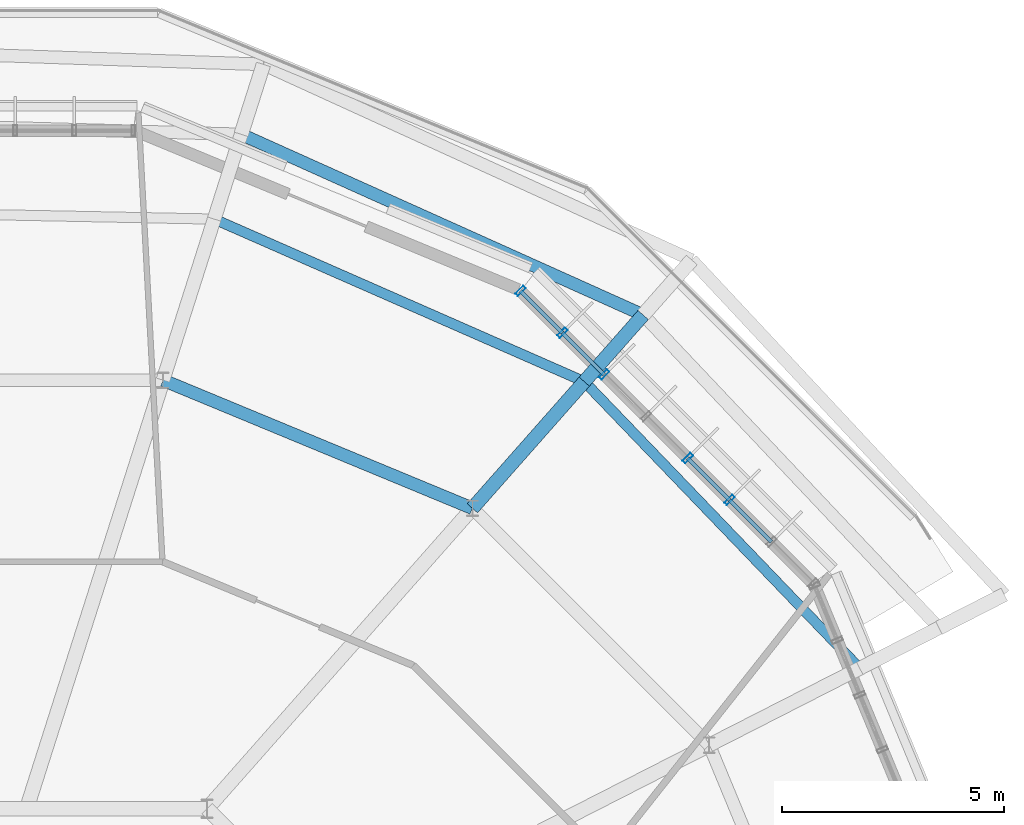
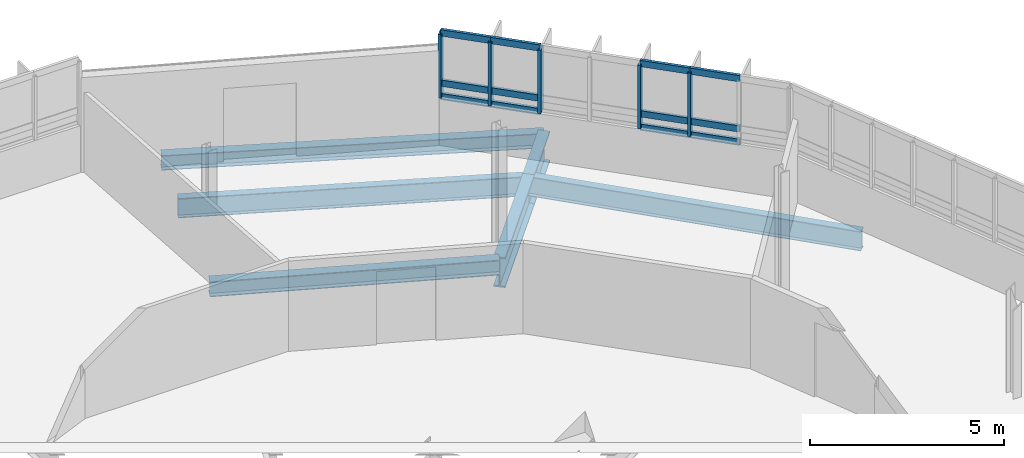
# One storey, part 21 of 31: 17 members, 6 beams, 1 element without a shape of its own.
"""IFC4 building model written with IfcOpenShell, lengths in metres."""

from ifc_helpers import new_model, si_unit, derived_unit, direction, frame, origin, origin_2d, place, context, subcontext, project, spatial, hollow_rectangle, i_section, extrude, material, layer, layer_set, material_profile, profile_set, type_object, element, aggregate, save


model = new_model("IFC4")

# Units and contexts
model_context = context("Model", 3, precision=1e-05, world=origin(), true_north=direction((0.0, 1.0)))
body_context = subcontext(model_context, "Body", "Model", "MODEL_VIEW")
ifc_project = project(units=[si_unit("LENGTHUNIT", "METRE"), si_unit("AREAUNIT", "SQUARE_METRE"), si_unit("VOLUMEUNIT", "CUBIC_METRE"), si_unit("PLANEANGLEUNIT", "RADIAN"), si_unit("MASSUNIT", "GRAM", prefix="KILO"), derived_unit("THERMALTRANSMITTANCEUNIT", [(si_unit("MASSUNIT", "GRAM", prefix="KILO"), 1), (si_unit("TIMEUNIT", "SECOND"), -3), (si_unit("THERMODYNAMICTEMPERATUREUNIT", "KELVIN"), -1)])], contexts=[model_context])

# Site, building, storey
site_placement = place(None, origin())
site = spatial("IfcSite", under=ifc_project, at=site_placement, CompositionType="ELEMENT")
building_placement = place(site_placement, origin())
building = spatial("IfcBuilding", under=site, at=building_placement, Name="Makaiwela Harbour Ferry Terminal", CompositionType="ELEMENT")
storey_placement = place(building_placement, frame((0.0, 0.0, 21.60009765625)))
storey = spatial("IfcBuildingStorey", under=building, at=storey_placement, Name="L05", CompositionType="ELEMENT", Elevation=21.60009765625)

# Curtain wall, members
ifc_material_1 = material(Name="Marine anodised aluminium 6063-T6", Category="aluminium")
ifc_layer = layer(ifc_material_1, 0.199951171875)
ifc_layer_set = layer_set([ifc_layer], Name="Marine anodised aluminium 6063-T6")
curtain_wall_type = type_object("IfcCurtainWallType", Name="ENV-CW-07", PredefinedType="USERDEFINED", material=ifc_layer_set)
curtain_wall_placement = place(storey_placement, origin())
curtain_wall = element("IfcCurtainWall", 1, at=curtain_wall_placement, inside=storey, type_object=curtain_wall_type, Name="Unitised Curtain Wall CWA-059", ObjectType="UNITIZED CURTAIN WALL", PredefinedType="USERDEFINED")
ifc_material_profile_1 = material_profile(ifc_material_1, hollow_rectangle(XDim=0.0849609375, YDim=0.25, WallThickness=0.0048828125, at=origin_2d()), Name="CWM-250X85")
ifc_profile_set_1 = profile_set([ifc_material_profile_1], Name="Marine anodised aluminium 6063-T6")
member_type_1 = type_object("IfcMemberType", Name="CW-MUL-250", PredefinedType="MULLION", material=ifc_profile_set_1)
member_1_placement = place(storey_placement, frame((53.604248046875, 84.334716796875, 1.47998046875), z_axis=(0.0, 0.0, 1.0), x_axis=(-0.707106781187, 0.707106781187, 0.0)))
member_1 = element("IfcMember", 2, at=member_1_placement, type_object=member_type_1, Name="Curtain Wall Mullion CWA-059-3", PredefinedType="MULLION", context=body_context, shape_type="SweptSolid", body=[
    extrude(hollow_rectangle(XDim=0.0849609375, YDim=0.25, WallThickness=0.0048828125, at=origin_2d()), origin(), (0.0, 0.0, 1.0), 2.0),
])
member_2_placement = place(storey_placement, frame((52.664306640625, 85.274658203125, 1.47998046875), z_axis=(0.0, 0.0, 1.0), x_axis=(-0.707106781187, 0.707106781187, 0.0)))
member_2 = element("IfcMember", 3, at=member_2_placement, type_object=member_type_1, Name="Curtain Wall Mullion CWA-059-4", PredefinedType="MULLION", context=body_context, shape_type="SweptSolid", body=[
    extrude(hollow_rectangle(XDim=0.0849609375, YDim=0.25, WallThickness=0.0048828125, at=origin_2d()), origin(), (0.0, 0.0, 1.0), 2.0),
])
member_3_placement = place(storey_placement, frame((50.78466796875, 87.154296875, 1.47998046875), z_axis=(0.0, 0.0, 1.0), x_axis=(-0.707106781187, 0.707106781187, 0.0)))
member_3 = element("IfcMember", 4, at=member_3_placement, type_object=member_type_1, Name="Curtain Wall Mullion CWA-059-6", PredefinedType="MULLION", context=body_context, shape_type="SweptSolid", body=[
    extrude(hollow_rectangle(XDim=0.0849609375, YDim=0.25, WallThickness=0.0048828125, at=origin_2d()), origin(), (0.0, 0.0, 1.0), 2.0),
])
member_4_placement = place(storey_placement, frame((49.8447265625, 88.09423828125, 1.47998046875), z_axis=(0.0, 0.0, 1.0), x_axis=(-0.707106781187, 0.707106781187, 0.0)))
member_4 = element("IfcMember", 5, at=member_4_placement, type_object=member_type_1, Name="Curtain Wall Mullion CWA-059-7", PredefinedType="MULLION", context=body_context, shape_type="SweptSolid", body=[
    extrude(hollow_rectangle(XDim=0.0849609375, YDim=0.25, WallThickness=0.0048828125, at=origin_2d()), origin(), (0.0, 0.0, 1.0), 2.0),
])
member_5_placement = place(storey_placement, frame((48.90478515625, 89.0341796875, 1.47998046875), z_axis=(0.0, 0.0, 1.0), x_axis=(-0.707106781187, 0.707106781187, 0.0)))
member_5 = element("IfcMember", 6, at=member_5_placement, type_object=member_type_1, Name="Curtain Wall Mullion CWA-059-8", PredefinedType="MULLION", context=body_context, shape_type="SweptSolid", body=[
    extrude(hollow_rectangle(XDim=0.0849609375, YDim=0.25, WallThickness=0.0048828125, at=origin_2d()), origin(), (0.0, 0.0, 1.0), 2.0),
])
ifc_material_profile_2 = material_profile(ifc_material_1, hollow_rectangle(XDim=0.0849609375, YDim=0.199951171875, WallThickness=0.0048828125, at=origin_2d()), Name="CWT-200X85")
ifc_profile_set_2 = profile_set([ifc_material_profile_2], Name="Marine anodised aluminium 6063-T6")
member_type_2 = type_object("IfcMemberType", Name="CW-TRN-200", PredefinedType="USERDEFINED", material=ifc_profile_set_2)
member_6_placement = place(storey_placement, frame((54.544189453125, 83.394775390625, 1.47998046875), z_axis=(-0.707106781187, 0.707106781187, 0.0), x_axis=(-0.707106781187, -0.707106781187, 0.0)))
member_6 = element("IfcMember", 7, at=member_6_placement, type_object=member_type_2, Name="Curtain Wall Transom CWA-059-2-1", ObjectType="TRANSOM", PredefinedType="USERDEFINED", context=body_context, shape_type="SweptSolid", body=[
    extrude(hollow_rectangle(XDim=0.0849609375, YDim=0.199951171875, WallThickness=0.0048828125, at=origin_2d()), origin(), (0.0, 0.0, 1.0), 1.329345703125),
])
member_7_placement = place(storey_placement, frame((54.544189453125, 83.394775390625, 1.89990234375), z_axis=(-0.707106781187, 0.707106781187, 0.0), x_axis=(-0.707106781187, -0.707106781187, 0.0)))
member_7 = element("IfcMember", 8, at=member_7_placement, type_object=member_type_2, Name="Curtain Wall Transom CWA-059-2-2", ObjectType="TRANSOM", PredefinedType="USERDEFINED", context=body_context, shape_type="SweptSolid", body=[
    extrude(hollow_rectangle(XDim=0.0849609375, YDim=0.199951171875, WallThickness=0.0048828125, at=origin_2d()), origin(), (0.0, 0.0, 1.0), 1.329345703125),
])
member_8_placement = place(storey_placement, frame((54.544189453125, 83.394775390625, 3.47998046875), z_axis=(-0.707106781187, 0.707106781187, 0.0), x_axis=(-0.707106781187, -0.707106781187, 0.0)))
member_8 = element("IfcMember", 9, at=member_8_placement, type_object=member_type_2, Name="Curtain Wall Transom CWA-059-2-3", ObjectType="TRANSOM", PredefinedType="USERDEFINED", context=body_context, shape_type="SweptSolid", body=[
    extrude(hollow_rectangle(XDim=0.0849609375, YDim=0.199951171875, WallThickness=0.0048828125, at=origin_2d()), origin(), (0.0, 0.0, 1.0), 1.329345703125),
])
member_9_placement = place(storey_placement, frame((53.604248046875, 84.334716796875, 1.47998046875), z_axis=(-0.707106781187, 0.707106781187, 0.0), x_axis=(-0.707106781187, -0.707106781187, 0.0)))
member_9 = element("IfcMember", 10, at=member_9_placement, type_object=member_type_2, Name="Curtain Wall Transom CWA-059-3-1", ObjectType="TRANSOM", PredefinedType="USERDEFINED", context=body_context, shape_type="SweptSolid", body=[
    extrude(hollow_rectangle(XDim=0.0849609375, YDim=0.199951171875, WallThickness=0.0048828125, at=origin_2d()), origin(), (0.0, 0.0, 1.0), 1.329345703125),
])
member_10_placement = place(storey_placement, frame((53.604248046875, 84.334716796875, 1.89990234375), z_axis=(-0.707106781187, 0.707106781187, 0.0), x_axis=(-0.707106781187, -0.707106781187, 0.0)))
member_10 = element("IfcMember", 11, at=member_10_placement, type_object=member_type_2, Name="Curtain Wall Transom CWA-059-3-2", ObjectType="TRANSOM", PredefinedType="USERDEFINED", context=body_context, shape_type="SweptSolid", body=[
    extrude(hollow_rectangle(XDim=0.0849609375, YDim=0.199951171875, WallThickness=0.0048828125, at=origin_2d()), origin(), (0.0, 0.0, 1.0), 1.329345703125),
])
member_11_placement = place(storey_placement, frame((53.604248046875, 84.334716796875, 3.47998046875), z_axis=(-0.707106781187, 0.707106781187, 0.0), x_axis=(-0.707106781187, -0.707106781187, 0.0)))
member_11 = element("IfcMember", 12, at=member_11_placement, type_object=member_type_2, Name="Curtain Wall Transom CWA-059-3-3", ObjectType="TRANSOM", PredefinedType="USERDEFINED", context=body_context, shape_type="SweptSolid", body=[
    extrude(hollow_rectangle(XDim=0.0849609375, YDim=0.199951171875, WallThickness=0.0048828125, at=origin_2d()), origin(), (0.0, 0.0, 1.0), 1.329345703125),
])
member_12_placement = place(storey_placement, frame((50.78466796875, 87.154296875, 1.47998046875), z_axis=(-0.707106781187, 0.707106781187, 0.0), x_axis=(-0.707106781187, -0.707106781187, 0.0)))
member_12 = element("IfcMember", 13, at=member_12_placement, type_object=member_type_2, Name="Curtain Wall Transom CWA-059-6-1", ObjectType="TRANSOM", PredefinedType="USERDEFINED", context=body_context, shape_type="SweptSolid", body=[
    extrude(hollow_rectangle(XDim=0.0849609375, YDim=0.199951171875, WallThickness=0.0048828125, at=origin_2d()), origin(), (0.0, 0.0, 1.0), 1.329345703125),
])
member_13_placement = place(storey_placement, frame((50.78466796875, 87.154296875, 1.89990234375), z_axis=(-0.707106781187, 0.707106781187, 0.0), x_axis=(-0.707106781187, -0.707106781187, 0.0)))
member_13 = element("IfcMember", 14, at=member_13_placement, type_object=member_type_2, Name="Curtain Wall Transom CWA-059-6-2", ObjectType="TRANSOM", PredefinedType="USERDEFINED", context=body_context, shape_type="SweptSolid", body=[
    extrude(hollow_rectangle(XDim=0.0849609375, YDim=0.199951171875, WallThickness=0.0048828125, at=origin_2d()), origin(), (0.0, 0.0, 1.0), 1.329345703125),
])
member_14_placement = place(storey_placement, frame((50.78466796875, 87.154296875, 3.47998046875), z_axis=(-0.707106781187, 0.707106781187, 0.0), x_axis=(-0.707106781187, -0.707106781187, 0.0)))
member_14 = element("IfcMember", 15, at=member_14_placement, type_object=member_type_2, Name="Curtain Wall Transom CWA-059-6-3", ObjectType="TRANSOM", PredefinedType="USERDEFINED", context=body_context, shape_type="SweptSolid", body=[
    extrude(hollow_rectangle(XDim=0.0849609375, YDim=0.199951171875, WallThickness=0.0048828125, at=origin_2d()), origin(), (0.0, 0.0, 1.0), 1.329345703125),
])
member_15_placement = place(storey_placement, frame((49.8447265625, 88.09423828125, 1.47998046875), z_axis=(-0.707106781187, 0.707106781187, 0.0), x_axis=(-0.707106781187, -0.707106781187, 0.0)))
member_15 = element("IfcMember", 16, at=member_15_placement, type_object=member_type_2, Name="Curtain Wall Transom CWA-059-7-1", ObjectType="TRANSOM", PredefinedType="USERDEFINED", context=body_context, shape_type="SweptSolid", body=[
    extrude(hollow_rectangle(XDim=0.0849609375, YDim=0.199951171875, WallThickness=0.0048828125, at=origin_2d()), origin(), (0.0, 0.0, 1.0), 1.329345703125),
])
member_16_placement = place(storey_placement, frame((49.8447265625, 88.09423828125, 1.89990234375), z_axis=(-0.707106781187, 0.707106781187, 0.0), x_axis=(-0.707106781187, -0.707106781187, 0.0)))
member_16 = element("IfcMember", 17, at=member_16_placement, type_object=member_type_2, Name="Curtain Wall Transom CWA-059-7-2", ObjectType="TRANSOM", PredefinedType="USERDEFINED", context=body_context, shape_type="SweptSolid", body=[
    extrude(hollow_rectangle(XDim=0.0849609375, YDim=0.199951171875, WallThickness=0.0048828125, at=origin_2d()), origin(), (0.0, 0.0, 1.0), 1.329345703125),
])
member_17_placement = place(storey_placement, frame((49.8447265625, 88.09423828125, 3.47998046875), z_axis=(-0.707106781187, 0.707106781187, 0.0), x_axis=(-0.707106781187, -0.707106781187, 0.0)))
member_17 = element("IfcMember", 18, at=member_17_placement, type_object=member_type_2, Name="Curtain Wall Transom CWA-059-7-3", ObjectType="TRANSOM", PredefinedType="USERDEFINED", context=body_context, shape_type="SweptSolid", body=[
    extrude(hollow_rectangle(XDim=0.0849609375, YDim=0.199951171875, WallThickness=0.0048828125, at=origin_2d()), origin(), (0.0, 0.0, 1.0), 1.329345703125),
])
aggregate(curtain_wall, [member_1, member_2, member_3, member_4, member_5, member_6, member_7, member_8, member_9, member_10, member_11, member_12, member_13, member_14, member_15, member_16, member_17])

# Beams
ifc_material_2 = material(Name="Steel ASTM A992 Grade 50", Category="steel")
ifc_material_profile_3 = material_profile(ifc_material_2, i_section(OverallWidth=0.280029296875, OverallDepth=0.462890625, WebThickness=0.0107421875, FlangeThickness=0.017333984375, at=origin_2d()), Name="W18X76")
ifc_profile_set_3 = profile_set([ifc_material_profile_3], Name="Steel ASTM A992 Grade 50")
beam_type_1 = type_object("IfcBeamType", Name="STR-BM-W18X76", PredefinedType="BEAM", material=ifc_profile_set_3)
beam_1_placement = place(storey_placement, frame((51.662109375, 88.494384765625, -0.481689453125), z_axis=(-0.912127447923, 0.409906719567, 0.0), x_axis=(-0.409906719567, -0.912127447923, 0.0)))
element("IfcBeam", 19, at=beam_1_placement, inside=storey, type_object=beam_type_1, Name="Drum stage2 tie girder 582", PredefinedType="BEAM", context=body_context, shape_type="SweptSolid", body=[
    extrude(i_section(OverallWidth=0.280029296875, OverallDepth=0.462890625, WebThickness=0.0107421875, FlangeThickness=0.017333984375, at=origin_2d()), origin(), (0.0, 0.0, 1.0), 9.90966796875),
])
ifc_material_profile_4 = material_profile(ifc_material_2, i_section(OverallWidth=0.22900390625, OverallDepth=0.612060546875, WebThickness=0.011962890625, FlangeThickness=0.01953125, at=origin_2d()), Name="W24X84")
ifc_profile_set_4 = profile_set([ifc_material_profile_4], Name="Steel ASTM A992 Grade 50")
beam_type_2 = type_object("IfcBeamType", Name="STR-GRD-W24X84", PredefinedType="USERDEFINED", material=ifc_profile_set_4)
beam_2_placement = place(storey_placement, frame((56.5322265625, 80.549560546875, -0.55615234375), z_axis=(-0.692888186671, 0.721045047672, 0.0), x_axis=(-0.721045047672, -0.692888186671, 0.0)))
element("IfcBeam", 20, at=beam_2_placement, inside=storey, type_object=beam_type_2, Name="Drum overhang tie girder 579", ObjectType="GIRDER", PredefinedType="USERDEFINED", context=body_context, shape_type="SweptSolid", body=[
    extrude(i_section(OverallWidth=0.22900390625, OverallDepth=0.612060546875, WebThickness=0.011962890625, FlangeThickness=0.01953125, at=origin_2d()), origin(), (0.0, 0.0, 1.0), 8.939453125),
])
beam_3_placement = place(storey_placement, frame((50.338134765625, 86.995361328125, -0.55615234375), z_axis=(-0.915567564956, 0.402164187864, 0.0), x_axis=(-0.402164187864, -0.915567564956, 0.0)))
element("IfcBeam", 21, at=beam_3_placement, inside=storey, type_object=beam_type_2, Name="Drum overhang tie girder 581", ObjectType="GIRDER", PredefinedType="USERDEFINED", context=body_context, shape_type="SweptSolid", body=[
    extrude(i_section(OverallWidth=0.22900390625, OverallDepth=0.612060546875, WebThickness=0.011962890625, FlangeThickness=0.01953125, at=origin_2d()), origin(), (0.0, 0.0, 1.0), 9.08837890625),
])
ifc_material_profile_5 = material_profile(ifc_material_2, i_section(OverallWidth=0.31005859375, OverallDepth=0.949951171875, WebThickness=0.0244140625, FlangeThickness=0.0439453125, at=origin_2d()), Name="W36X256")
ifc_profile_set_5 = profile_set([ifc_material_profile_5], Name="Steel ASTM A992 Grade 50")
beam_type_3 = type_object("IfcBeamType", Name="STR-GRD-W36X256", PredefinedType="USERDEFINED", material=ifc_profile_set_5)
beam_4_placement = place(storey_placement, frame((47.822509765625, 84.1474609375, -0.72509765625), z_axis=(0.662031662914, 0.74947586839, 0.0), x_axis=(-0.74947586839, 0.662031662914, 0.0)))
element("IfcBeam", 22, at=beam_4_placement, inside=storey, type_object=beam_type_3, Name="Drum radial overhang 530", ObjectType="GIRDER", PredefinedType="USERDEFINED", context=body_context, shape_type="SweptSolid", body=[
    extrude(i_section(OverallWidth=0.31005859375, OverallDepth=0.949951171875, WebThickness=0.0244140625, FlangeThickness=0.0439453125, at=origin_2d()), origin(), (0.0, 0.0, 1.0), 3.7998046875),
])
beam_5_placement = place(storey_placement, frame((50.338134765625, 86.995361328125, -0.72509765625), z_axis=(0.661988956977, 0.749513589497, 0.0), x_axis=(-0.749513589497, 0.661988956977, 0.0)))
element("IfcBeam", 23, at=beam_5_placement, inside=storey, type_object=beam_type_3, Name="Drum overhang radial girder 531", ObjectType="GIRDER", PredefinedType="USERDEFINED", context=body_context, shape_type="SweptSolid", body=[
    extrude(i_section(OverallWidth=0.31005859375, OverallDepth=0.949951171875, WebThickness=0.0244140625, FlangeThickness=0.0439453125, at=origin_2d()), origin(), (0.0, 0.0, 1.0), 2.0),
])
ifc_material_profile_6 = material_profile(ifc_material_2, i_section(OverallWidth=0.283935546875, OverallDepth=0.47607421875, WebThickness=0.014892578125, FlangeThickness=0.02392578125, at=origin_2d()), Name="W18X106")
ifc_profile_set_6 = profile_set([ifc_material_profile_6], Name="Steel ASTM A992 Grade 50")
beam_type_4 = type_object("IfcBeamType", Name="STR-SPN-W18X106", PredefinedType="SPANDREL", material=ifc_profile_set_6)
beam_6_placement = place(storey_placement, frame((47.822509765625, 84.1474609375, -0.488037109375), z_axis=(-0.923877743092, 0.382687752376, 0.0), x_axis=(-0.382687752376, -0.923877743092, 0.0)))
element("IfcBeam", 24, at=beam_6_placement, inside=storey, type_object=beam_type_4, Name="Drum column ring girder 509", PredefinedType="SPANDREL", context=body_context, shape_type="SweptSolid", body=[
    extrude(i_section(OverallWidth=0.283935546875, OverallDepth=0.47607421875, WebThickness=0.014892578125, FlangeThickness=0.02392578125, at=origin_2d()), origin(), (0.0, 0.0, 1.0), 7.530517578125),
])

save(model, "model.ifc")
